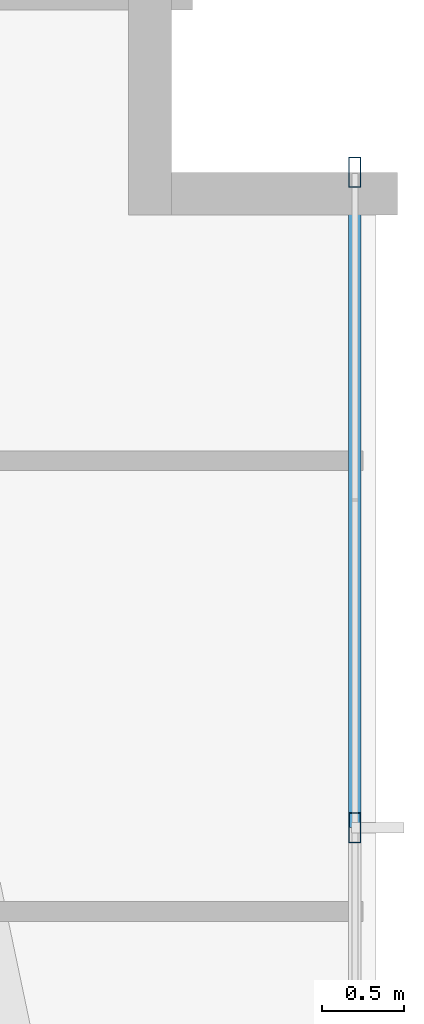
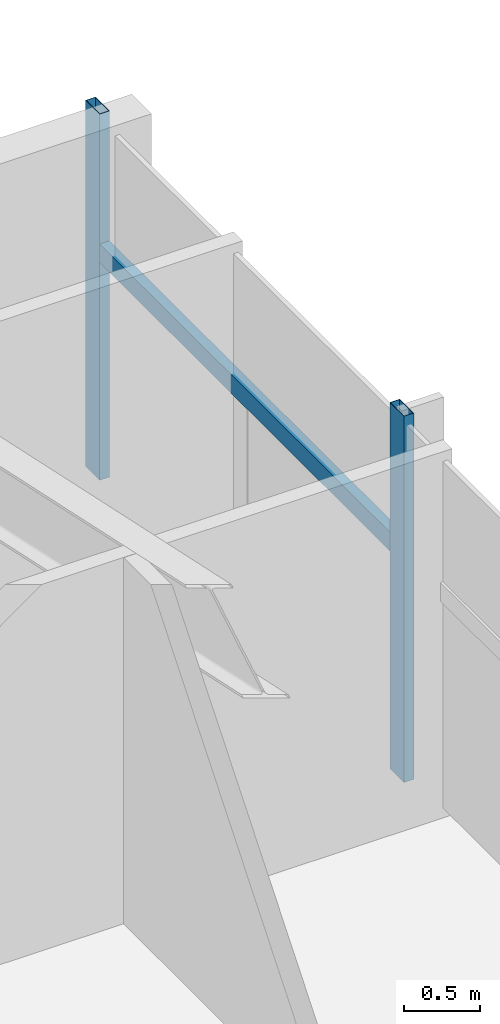
# One storey, part 17 of 25: 3 members, 1 element without a shape of its own.
"""IFC4 building model written with IfcOpenShell, lengths in metres."""

from ifc_helpers import new_model, si_unit, direction, frame, origin, origin_2d, place, context, subcontext, project, spatial, hollow_rectangle, extrude, source, transform, mapped, material, material_profile, profile_set, type_object, type_shapes, element, aggregate, save


model = new_model("IFC4")

# Units and contexts
model_context = context("Model", 3, precision=1e-05, world=origin(), true_north=direction((0.0, 1.0)))
body_context = subcontext(model_context, "Body", "Model", "MODEL_VIEW")
ifc_project = project(units=[si_unit("LENGTHUNIT", "METRE"), si_unit("AREAUNIT", "SQUARE_METRE"), si_unit("VOLUMEUNIT", "CUBIC_METRE"), si_unit("PLANEANGLEUNIT", "RADIAN"), si_unit("MASSUNIT", "GRAM", prefix="KILO")], contexts=[model_context])

# Site, building, storey
site_placement = place(None, origin())
site = spatial("IfcSite", under=ifc_project, at=site_placement, CompositionType="ELEMENT")
building_placement = place(site_placement, origin())
building = spatial("IfcBuilding", under=site, at=building_placement, Name="Astriad Promenade Condominiums", CompositionType="ELEMENT")
storey_placement = place(building_placement, frame((0.0, 0.0, 58.199951171875)))
storey = spatial("IfcBuildingStorey", under=building, at=storey_placement, Name="L16", CompositionType="ELEMENT", Elevation=58.199951171875)

# Curtain wall, members
ifc_material_1 = material(Name="Anodised aluminium Black Dark Glass Unitised", Category="aluminium")
curtain_wall_type = type_object("IfcCurtainWallType", Name="CW-B1-DARK", PredefinedType="USERDEFINED", material=ifc_material_1)
curtain_wall_placement = place(storey_placement, origin())
curtain_wall = element("IfcCurtainWall", 1, at=curtain_wall_placement, inside=storey, type_object=curtain_wall_type, Name="CW-L16-E", ObjectType="UNITISED_CURTAIN_WALL", PredefinedType="USERDEFINED")
ifc_material_2 = material(Name="Anodised aluminium 6063-T6 Black", Category="aluminium")
ifc_material_profile_1 = material_profile(ifc_material_2, hollow_rectangle(XDim=0.074951171875, YDim=0.18505859375, WallThickness=0.00439453125, at=origin_2d()), Name="ALU-MUL-75X185")
ifc_profile_set_1 = profile_set([ifc_material_profile_1], Name="Anodised aluminium 6063-T6 Black")
member_type_1 = type_object("IfcMemberType", Name="MUL-ALU-MUL-75X185", PredefinedType="MULLION", material=ifc_profile_set_1)
shared_shape_1 = source(origin(), body_context, "Body", "SweptSolid", [
    extrude(hollow_rectangle(XDim=0.074951171875, YDim=0.18505859375, WallThickness=0.00439453125, at=origin_2d()), origin(), (0.0, 0.0, 1.0), 2.93994140625),
])
type_shapes(member_type_1, [shared_shape_1])
member_1_placement = place(storey_placement, frame((59.669921875, 25.199951171875, 0.0), z_axis=(0.0, 0.0, 1.0), x_axis=(1.0, 0.0, 0.0)))
member_1 = element("IfcMember", 2, at=member_1_placement, type_object=member_type_1, Name="CW-L16-E-MUL-00", PredefinedType="MULLION", context=body_context, shape_type="MappedRepresentation", body=[
    mapped(shared_shape_1, transform((0.0, 0.0, 0.0), scale=1.0)),
])
member_2_placement = place(storey_placement, frame((59.669921875, 21.199951171875, 0.0), z_axis=(0.0, 0.0, 1.0), x_axis=(1.0, 0.0, 0.0)))
member_2 = element("IfcMember", 3, at=member_2_placement, type_object=member_type_1, Name="CW-L16-E-MUL-01", PredefinedType="MULLION", context=body_context, shape_type="MappedRepresentation", body=[
    mapped(shared_shape_1, transform((0.0, 0.0, 0.0), scale=1.0)),
])
ifc_material_profile_2 = material_profile(ifc_material_2, hollow_rectangle(XDim=0.074951171875, YDim=0.14990234375, WallThickness=0.004150390625, at=origin_2d()), Name="ALU-TRN-75X150")
ifc_profile_set_2 = profile_set([ifc_material_profile_2], Name="Anodised aluminium 6063-T6 Black")
member_type_2 = type_object("IfcMemberType", Name="TRN-ALU-TRN-75X150", PredefinedType="USERDEFINED", material=ifc_profile_set_2)
shared_shape_2 = source(origin(), body_context, "Body", "SweptSolid", [
    extrude(hollow_rectangle(XDim=0.074951171875, YDim=0.14990234375, WallThickness=0.004150390625, at=origin_2d()), origin(), (0.0, 0.0, 1.0), 4.0),
])
type_shapes(member_type_2, [shared_shape_2])
member_3_placement = place(storey_placement, frame((59.669921875, 25.199951171875, 1.82275390625), z_axis=(0.0, -1.0, 0.0), x_axis=(1.0, 0.0, 0.0)))
member_3 = element("IfcMember", 4, at=member_3_placement, type_object=member_type_2, Name="CW-L16-E-TRN-00-0", ObjectType="TRANSOM", PredefinedType="USERDEFINED", context=body_context, shape_type="MappedRepresentation", body=[
    mapped(shared_shape_2, transform((0.0, 0.0, 0.0), scale=1.0)),
])
aggregate(curtain_wall, [member_1, member_2, member_3])

save(model, "model.ifc")
